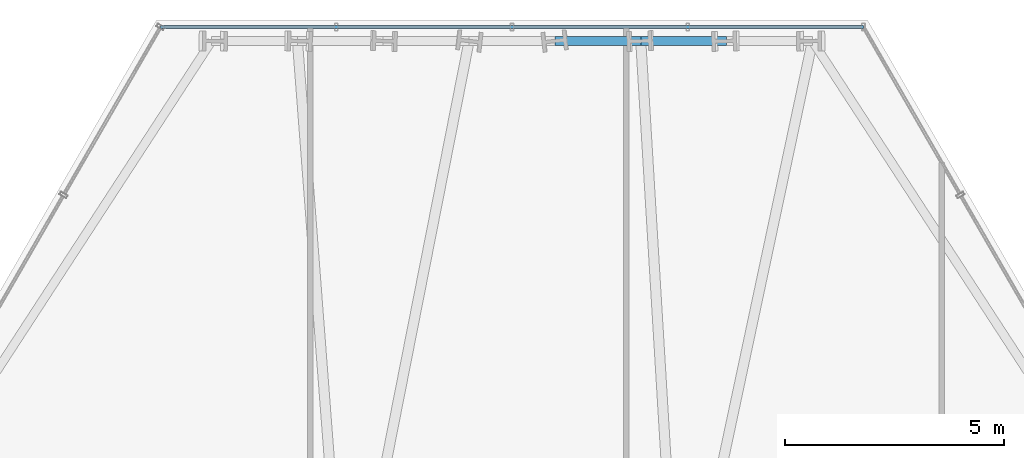
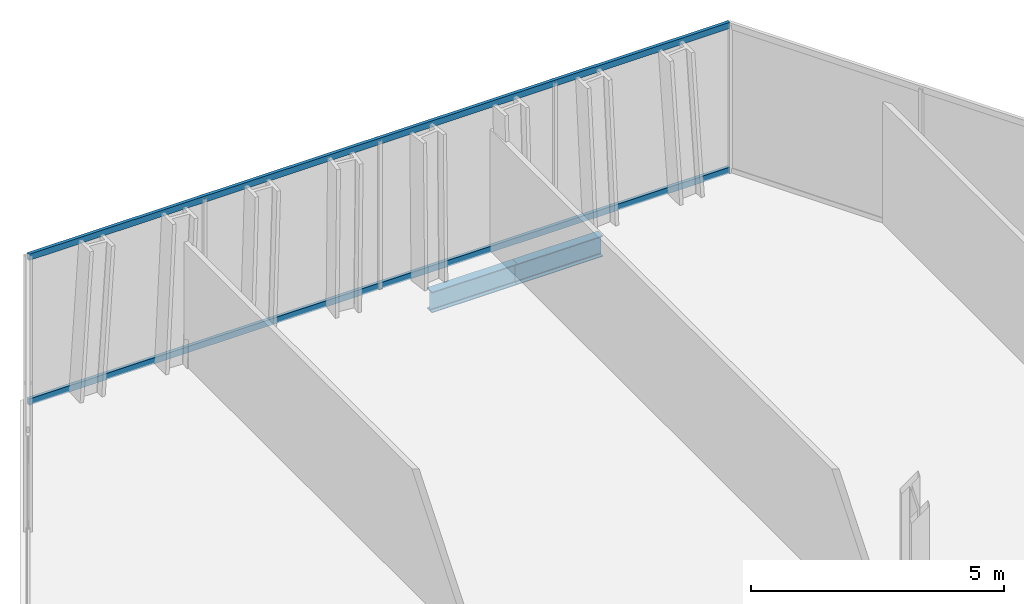
# One storey, part 23 of 32: 2 beams, 2 members, 1 element without a shape of its own.
"""IFC4 building model written with IfcOpenShell, lengths in metres."""

from ifc_helpers import new_model, si_unit, direction, frame, origin, origin_2d, place, context, subcontext, project, spatial, hollow_rectangle, i_section, extrude, material, layer, layer_set, material_profile, profile_set, type_object, element, aggregate, save


model = new_model("IFC4")

# Units and contexts
model_context = context("Model", 3, precision=1e-05, world=origin(), true_north=direction((0.0, 1.0)))
body_context = subcontext(model_context, "Body", "Model", "MODEL_VIEW")
ifc_project = project(units=[si_unit("LENGTHUNIT", "METRE"), si_unit("AREAUNIT", "SQUARE_METRE"), si_unit("VOLUMEUNIT", "CUBIC_METRE"), si_unit("PLANEANGLEUNIT", "RADIAN"), si_unit("MASSUNIT", "GRAM", prefix="KILO")], contexts=[model_context])

# Site, building, storey
site_placement = place(None, origin())
site = spatial("IfcSite", under=ifc_project, at=site_placement, CompositionType="ELEMENT")
building_placement = place(site_placement, origin())
building = spatial("IfcBuilding", under=site, at=building_placement, Name="Ndaravel Arena Tower", CompositionType="ELEMENT")
storey_placement = place(building_placement, frame((0.0, 0.0, 55.0)))
storey = spatial("IfcBuildingStorey", under=building, at=storey_placement, Name="L11", CompositionType="ELEMENT", Elevation=55.0)

# Beams
ifc_material_1 = material(Name="Steel S355", Category="steel")
ifc_material_profile_1 = material_profile(ifc_material_1, i_section(OverallWidth=0.199951171875, OverallDepth=0.5, WebThickness=0.01025390625, FlangeThickness=0.01611328125, FilletRadius=0.02099609375, at=origin_2d()), Name="IPE 500")
ifc_profile_set_1 = profile_set([ifc_material_profile_1], Name="Steel S355")
beam_type = type_object("IfcBeamType", Name="BM-SPAN-IPE500", PredefinedType="SPANDREL", material=ifc_profile_set_1)
beam_1_placement = place(storey_placement, frame((46.892822265625, 45.531494140625, -0.469970703125), z_axis=(-1.0, 0.0, 0.0), x_axis=(0.0, -1.0, 0.0)))
element("IfcBeam", 1, at=beam_1_placement, inside=storey, type_object=beam_type, Name="L11 Perimeter Spandrel Beam SP-12", PredefinedType="SPANDREL", context=body_context, shape_type="SweptSolid", body=[
    extrude(i_section(OverallWidth=0.199951171875, OverallDepth=0.5, WebThickness=0.01025390625, FlangeThickness=0.01611328125, FilletRadius=0.02099609375, at=origin_2d()), origin(), (0.0, 0.0, 1.0), 1.95703125),
])
beam_2_placement = place(storey_placement, frame((44.935791015625, 45.531494140625, -0.469970703125), z_axis=(-1.0, 0.0, 0.0), x_axis=(0.0, -1.0, 0.0)))
element("IfcBeam", 2, at=beam_2_placement, inside=storey, type_object=beam_type, Name="L11 Perimeter Spandrel Beam SP-13", PredefinedType="SPANDREL", context=body_context, shape_type="SweptSolid", body=[
    extrude(i_section(OverallWidth=0.199951171875, OverallDepth=0.5, WebThickness=0.01025390625, FlangeThickness=0.01611328125, FilletRadius=0.02099609375, at=origin_2d()), origin(), (0.0, 0.0, 1.0), 1.957275390625),
])

# Curtain wall, members
ifc_material_2 = material(Name="Aluminium", Category="aluminium")
ifc_layer = layer(ifc_material_2, 0.179931640625)
ifc_layer_set = layer_set([ifc_layer], Name="Aluminium")
curtain_wall_type = type_object("IfcCurtainWallType", Name="CW-SYS-01", PredefinedType="NOTDEFINED", material=ifc_layer_set)
curtain_wall_placement = place(storey_placement, origin())
curtain_wall = element("IfcCurtainWall", 3, at=curtain_wall_placement, inside=storey, type_object=curtain_wall_type, Name="L11 Faceted Crystal Curtain Wall CW-L11-E04", PredefinedType="NOTDEFINED")
ifc_material_3 = material(Name="Aluminium", Category="aluminium")
ifc_material_profile_2 = material_profile(ifc_material_3, hollow_rectangle(XDim=0.074951171875, YDim=0.14990234375, WallThickness=0.00390625, at=origin_2d()), Name="CW TRANSOM 75x150x4")
ifc_profile_set_2 = profile_set([ifc_material_profile_2], Name="Aluminium")
member_type = type_object("IfcMemberType", Name="MEM-CW-TRN150", PredefinedType="USERDEFINED", material=ifc_profile_set_2)
member_1_placement = place(storey_placement, frame((50.01318359375, 45.851318359375, 0.0400390625), z_axis=(-1.0, 0.0, 0.0), x_axis=(0.0, -1.0, 0.0)))
member_1 = element("IfcMember", 4, at=member_1_placement, type_object=member_type, Name="CW-L11-E04 Transom 01", ObjectType="TRANSOM", PredefinedType="USERDEFINED", context=body_context, shape_type="SweptSolid", body=[
    extrude(hollow_rectangle(XDim=0.074951171875, YDim=0.14990234375, WallThickness=0.00390625, at=origin_2d()), origin(), (0.0, 0.0, 1.0), 16.0263671875),
])
member_2_placement = place(storey_placement, frame((50.01318359375, 45.851318359375, 3.5400390625), z_axis=(-1.0, 0.0, 0.0), x_axis=(0.0, -1.0, 0.0)))
member_2 = element("IfcMember", 5, at=member_2_placement, type_object=member_type, Name="CW-L11-E04 Transom 02", ObjectType="TRANSOM", PredefinedType="USERDEFINED", context=body_context, shape_type="SweptSolid", body=[
    extrude(hollow_rectangle(XDim=0.074951171875, YDim=0.14990234375, WallThickness=0.00390625, at=origin_2d()), origin(), (0.0, 0.0, 1.0), 16.0263671875),
])
aggregate(curtain_wall, [member_1, member_2])

save(model, "model.ifc")
